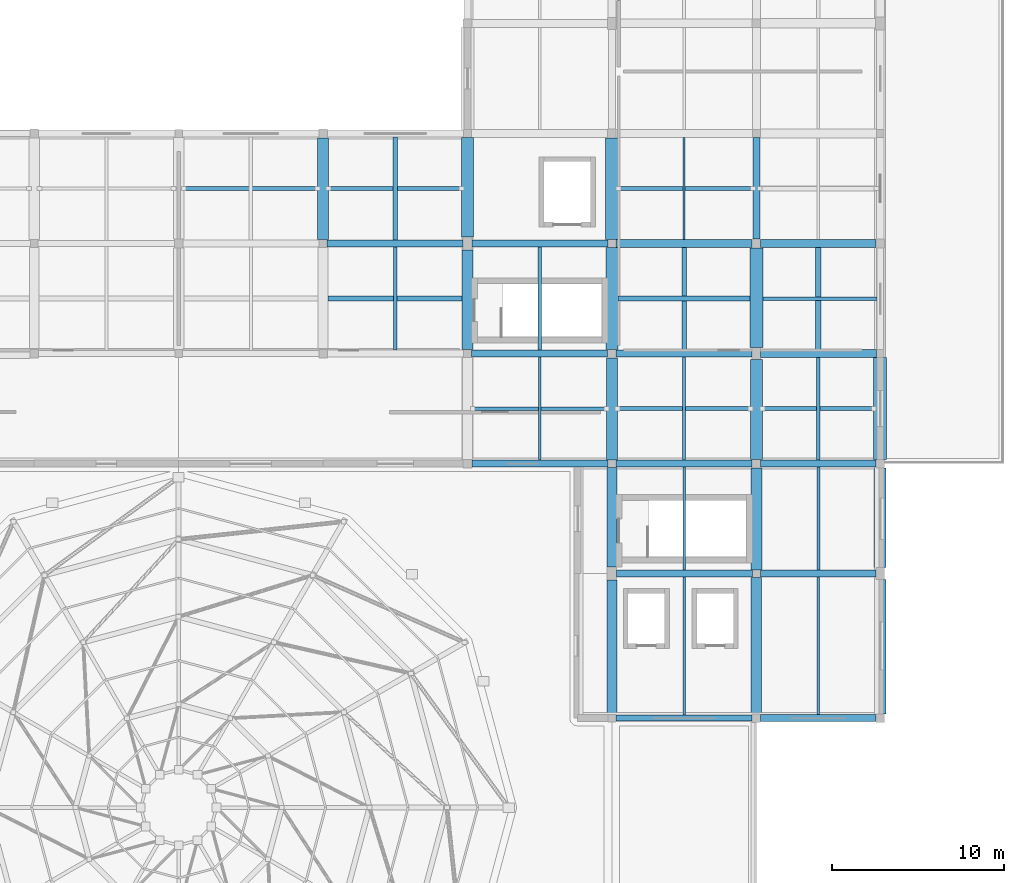
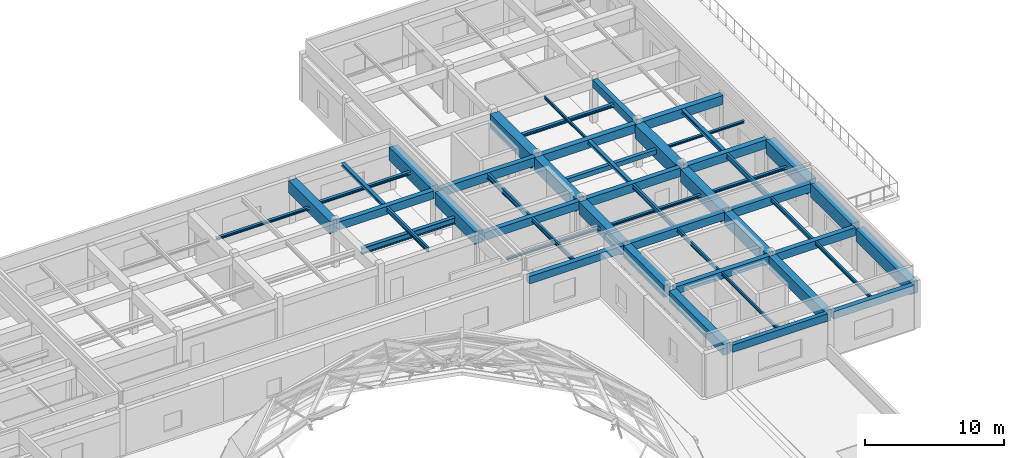
# One storey, part 6 of 18: 46 beams, 6 members.
"""IFC4 building model written with IfcOpenShell, lengths in metres."""

from ifc_helpers import new_model, si_unit, direction, frame, origin, origin_2d, place, context, subcontext, project, spatial, rectangle, i_section, extrude, material, material_profile, profile_set, type_object, element, save


model = new_model("IFC4")

# Units and contexts
model_context = context("Model", 3, precision=1e-05, world=origin(), true_north=direction((0.0, 1.0)))
body_context = subcontext(model_context, "Body", "Model", "MODEL_VIEW")
ifc_project = project(units=[si_unit("LENGTHUNIT", "METRE"), si_unit("AREAUNIT", "SQUARE_METRE"), si_unit("VOLUMEUNIT", "CUBIC_METRE"), si_unit("PLANEANGLEUNIT", "RADIAN"), si_unit("MASSUNIT", "GRAM", prefix="KILO")], contexts=[model_context])

# Site, building, storey
site_placement = place(None, origin())
site = spatial("IfcSite", under=ifc_project, at=site_placement, CompositionType="ELEMENT")
building_placement = place(site_placement, origin())
building = spatial("IfcBuilding", under=site, at=building_placement, Name="Korsvaeld Concert Hall", CompositionType="ELEMENT")
storey_placement = place(building_placement, frame((0.0, 0.0, 17.39990234375)))
storey = spatial("IfcBuildingStorey", under=building, at=storey_placement, Name="L04", CompositionType="ELEMENT", Elevation=17.39990234375)

# Beams
ifc_material_1 = material(Name="Concrete C35/45", Category="concrete")
ifc_material_profile_1 = material_profile(ifc_material_1, rectangle(XDim=0.300048828125, YDim=0.39990234375, at=origin_2d()), Name="RC 300x400")
ifc_profile_set_1 = profile_set([ifc_material_profile_1], Name="Concrete C35/45")
beam_type_1 = type_object("IfcBeamType", Name="BM-LN-300x400", PredefinedType="LINTEL", material=ifc_profile_set_1)
beam_1_placement = place(storey_placement, frame((109.550048828125, 92.800048828125, 3.330078125), z_axis=(1.0, 0.0, 0.0), x_axis=(0.0, 1.0, 0.0)))
element("IfcBeam", 1, at=beam_1_placement, inside=storey, type_object=beam_type_1, Name="Artists wing roof purlin tie 15", PredefinedType="LINTEL", context=body_context, shape_type="SweptSolid", body=[
    extrude(rectangle(XDim=0.300048828125, YDim=0.39990234375, at=origin_2d()), origin(), (0.0, 0.0, 1.0), 7.675048828125),
])
ifc_material_2 = material(Name="Steel S355J2", Category="steel")
ifc_material_profile_2 = material_profile(ifc_material_2, i_section(OverallWidth=0.199951171875, OverallDepth=0.18994140625, WebThickness=0.006591796875, FlangeThickness=0.010009765625, FilletRadius=0.01806640625, at=origin_2d()), Name="HEA 200")
ifc_profile_set_2 = profile_set([ifc_material_profile_2], Name="Steel S355J2")
beam_type_2 = type_object("IfcBeamType", Name="BM-LN-HEA200", PredefinedType="LINTEL", material=ifc_profile_set_2)
beam_2_placement = place(storey_placement, frame((117.97509765625, 92.800048828125, 3.35498046875), z_axis=(1.0, 0.0, 0.0), x_axis=(0.0, 1.0, 0.0)))
element("IfcBeam", 2, at=beam_2_placement, inside=storey, type_object=beam_type_2, Name="Artists wing roof purlin tie 16", PredefinedType="LINTEL", context=body_context, shape_type="SweptSolid", body=[
    extrude(i_section(OverallWidth=0.199951171875, OverallDepth=0.18994140625, WebThickness=0.006591796875, FlangeThickness=0.010009765625, FilletRadius=0.01806640625, at=origin_2d()), origin(), (0.0, 0.0, 1.0), 6.625),
])
ifc_material_profile_3 = material_profile(ifc_material_1, rectangle(XDim=0.35009765625, YDim=0.64990234375, at=origin_2d()), Name="RC 350x650")
ifc_profile_set_3 = profile_set([ifc_material_profile_3], Name="Concrete C35/45")
beam_type_3 = type_object("IfcBeamType", Name="BM-RC-350x650", PredefinedType="T_BEAM", material=ifc_profile_set_3)
beam_3_placement = place(storey_placement, frame((109.425048828125, 68.39990234375, 3.51513671875), z_axis=(1.0, 0.0, 0.0), x_axis=(0.0, 1.0, 0.0)))
element("IfcBeam", 3, at=beam_3_placement, inside=storey, type_object=beam_type_3, Name="Primary girder 15-16/K L04", PredefinedType="T_BEAM", context=body_context, shape_type="SweptSolid", body=[
    extrude(rectangle(XDim=0.35009765625, YDim=0.64990234375, at=origin_2d()), origin(), (0.0, 0.0, 1.0), 7.925048828125),
])
ifc_material_profile_4 = material_profile(ifc_material_1, rectangle(XDim=0.39990234375, YDim=0.64990234375, at=origin_2d()), Name="RC 400x650")
ifc_profile_set_4 = profile_set([ifc_material_profile_4], Name="Concrete C35/45")
beam_type_4 = type_object("IfcBeamType", Name="BM-RC-400x650", PredefinedType="T_BEAM", material=ifc_profile_set_4)
beam_4_placement = place(storey_placement, frame((117.85009765625, 68.39990234375, 3.51513671875), z_axis=(1.0, 0.0, 0.0), x_axis=(0.0, 1.0, 0.0)))
element("IfcBeam", 4, at=beam_4_placement, inside=storey, type_object=beam_type_4, Name="Primary girder 16-17/K L04", PredefinedType="T_BEAM", context=body_context, shape_type="SweptSolid", body=[
    extrude(rectangle(XDim=0.39990234375, YDim=0.64990234375, at=origin_2d()), origin(), (0.0, 0.0, 1.0), 6.699951171875),
])
beam_5_placement = place(storey_placement, frame((109.47509765625, 76.800048828125, 3.51513671875), z_axis=(1.0, 0.0, 0.0), x_axis=(0.0, 1.0, 0.0)))
element("IfcBeam", 5, at=beam_5_placement, inside=storey, type_object=beam_type_4, Name="Primary girder 15-16/L L04", PredefinedType="T_BEAM", context=body_context, shape_type="SweptSolid", body=[
    extrude(rectangle(XDim=0.39990234375, YDim=0.64990234375, at=origin_2d()), origin(), (0.0, 0.0, 1.0), 7.89990234375),
])
beam_6_placement = place(storey_placement, frame((101.050048828125, 83.199951171875, 3.51513671875), z_axis=(1.0, 0.0, 0.0), x_axis=(0.0, 1.0, 0.0)))
element("IfcBeam", 6, at=beam_6_placement, inside=storey, type_object=beam_type_4, Name="Primary girder 14-15/M L04", PredefinedType="T_BEAM", context=body_context, shape_type="SweptSolid", body=[
    extrude(rectangle(XDim=0.39990234375, YDim=0.64990234375, at=origin_2d()), origin(), (0.0, 0.0, 1.0), 7.925048828125),
])
ifc_material_profile_5 = material_profile(ifc_material_1, rectangle(XDim=0.39990234375, YDim=0.699951171875, at=origin_2d()), Name="RC 400x700")
ifc_profile_set_5 = profile_set([ifc_material_profile_5], Name="Concrete C35/45")
beam_type_5 = type_object("IfcBeamType", Name="BM-RC-400x700", PredefinedType="T_BEAM", material=ifc_profile_set_5)
beam_7_placement = place(storey_placement, frame((117.824951171875, 76.800048828125, 3.489990234375), z_axis=(1.0, 0.0, 0.0), x_axis=(0.0, 1.0, 0.0)))
element("IfcBeam", 7, at=beam_7_placement, inside=storey, type_object=beam_type_5, Name="Primary girder 16-17/L L04", PredefinedType="T_BEAM", context=body_context, shape_type="SweptSolid", body=[
    extrude(rectangle(XDim=0.39990234375, YDim=0.699951171875, at=origin_2d()), origin(), (0.0, 0.0, 1.0), 6.72509765625),
])
for number, where, z_axis, x_axis, name in (
    (8, (109.425048828125, 83.199951171875, 3.489990234375), (1.0, 0.0, 0.0), (0.0, 1.0, 0.0), "Primary girder 15-16/M L04"),
    (9, (101.02490234375, 89.60009765625, 3.489990234375), (1.0, 0.0, 0.0), (0.0, 1.0, 0.0), "Primary girder 14-15/N L04"),
):
    element("IfcBeam", number, at=place(storey_placement, frame(where, z_axis=z_axis, x_axis=x_axis)), inside=storey, type_object=beam_type_5, Name=name, PredefinedType="T_BEAM", context=body_context, shape_type="SweptSolid", body=[
        extrude(rectangle(XDim=0.39990234375, YDim=0.699951171875, at=origin_2d()), origin(), (0.0, 0.0, 1.0), 7.925048828125),
    ])
beam_8_placement = place(storey_placement, frame((92.625, 96.0, 3.489990234375), z_axis=(1.0, 0.0, 0.0), x_axis=(0.0, 1.0, 0.0)))
element("IfcBeam", 10, at=beam_8_placement, inside=storey, type_object=beam_type_5, Name="Primary girder 13-14/P L04", PredefinedType="T_BEAM", context=body_context, shape_type="SweptSolid", body=[
    extrude(rectangle(XDim=0.39990234375, YDim=0.699951171875, at=origin_2d()), origin(), (0.0, 0.0, 1.0), 7.89990234375),
])
beam_9_placement = place(storey_placement, frame((117.60009765625, 96.25, 3.489990234375), z_axis=(0.0, 1.0, 0.0), x_axis=(-1.0, 0.0, 0.0)))
element("IfcBeam", 11, at=beam_9_placement, inside=storey, type_object=beam_type_5, Name="Primary girder 16/P-Q L04", PredefinedType="T_BEAM", context=body_context, shape_type="SweptSolid", body=[
    extrude(rectangle(XDim=0.39990234375, YDim=0.699951171875, at=origin_2d()), origin(), (0.0, 0.0, 1.0), 5.925048828125),
])
ifc_material_profile_6 = material_profile(ifc_material_1, rectangle(XDim=0.39990234375, YDim=0.75, at=origin_2d()), Name="RC 400x750")
ifc_profile_set_6 = profile_set([ifc_material_profile_6], Name="Concrete C35/45")
beam_type_6 = type_object("IfcBeamType", Name="BM-RC-400x750", PredefinedType="T_BEAM", material=ifc_profile_set_6)
beam_10_placement = place(storey_placement, frame((117.85009765625, 83.199951171875, 3.465087890625), z_axis=(1.0, 0.0, 0.0), x_axis=(0.0, 1.0, 0.0)))
element("IfcBeam", 12, at=beam_10_placement, inside=storey, type_object=beam_type_6, Name="Primary girder 16-17/M L04", PredefinedType="T_BEAM", context=body_context, shape_type="SweptSolid", body=[
    extrude(rectangle(XDim=0.39990234375, YDim=0.75, at=origin_2d()), origin(), (0.0, 0.0, 1.0), 6.699951171875),
])
for number, where, z_axis, x_axis, name in (
    (13, (109.449951171875, 89.60009765625, 3.465087890625), (1.0, 0.0, 0.0), (0.0, 1.0, 0.0), "Primary girder 15-16/N L04"),
    (14, (101.074951171875, 96.0, 3.465087890625), (1.0, 0.0, 0.0), (0.0, 1.0, 0.0), "Primary girder 14-15/P L04"),
):
    element("IfcBeam", number, at=place(storey_placement, frame(where, z_axis=z_axis, x_axis=x_axis)), inside=storey, type_object=beam_type_6, Name=name, PredefinedType="T_BEAM", context=body_context, shape_type="SweptSolid", body=[
        extrude(rectangle(XDim=0.39990234375, YDim=0.75, at=origin_2d()), origin(), (0.0, 0.0, 1.0), 7.900146484375),
    ])
ifc_material_profile_7 = material_profile(ifc_material_1, rectangle(XDim=0.449951171875, YDim=0.75, at=origin_2d()), Name="RC 450x750")
ifc_profile_set_7 = profile_set([ifc_material_profile_7], Name="Concrete C35/45")
beam_type_7 = type_object("IfcBeamType", Name="BM-RC-450x750", PredefinedType="T_BEAM", material=ifc_profile_set_7)
beam_11_placement = place(storey_placement, frame((117.85009765625, 89.60009765625, 3.465087890625), z_axis=(1.0, 0.0, 0.0), x_axis=(0.0, 1.0, 0.0)))
element("IfcBeam", 15, at=beam_11_placement, inside=storey, type_object=beam_type_7, Name="Primary girder 16-17/N L04", PredefinedType="T_BEAM", context=body_context, shape_type="SweptSolid", body=[
    extrude(rectangle(XDim=0.449951171875, YDim=0.75, at=origin_2d()), origin(), (0.0, 0.0, 1.0), 6.724853515625),
])
beam_12_placement = place(storey_placement, frame((109.425048828125, 96.0, 3.465087890625), z_axis=(1.0, 0.0, 0.0), x_axis=(0.0, 1.0, 0.0)))
element("IfcBeam", 16, at=beam_12_placement, inside=storey, type_object=beam_type_7, Name="Primary girder 15-16/P L04", PredefinedType="T_BEAM", context=body_context, shape_type="SweptSolid", body=[
    extrude(rectangle(XDim=0.449951171875, YDim=0.75, at=origin_2d()), origin(), (0.0, 0.0, 1.0), 7.925048828125),
])
ifc_material_profile_8 = material_profile(ifc_material_1, rectangle(XDim=0.449951171875, YDim=0.800048828125, at=origin_2d()), Name="RC 450x800")
ifc_profile_set_8 = profile_set([ifc_material_profile_8], Name="Concrete C35/45")
beam_type_8 = type_object("IfcBeamType", Name="BM-RC-450x800", PredefinedType="T_BEAM", material=ifc_profile_set_8)
beam_13_placement = place(storey_placement, frame((117.85009765625, 96.0, 3.440185546875), z_axis=(1.0, 0.0, 0.0), x_axis=(0.0, 1.0, 0.0)))
element("IfcBeam", 17, at=beam_13_placement, inside=storey, type_object=beam_type_8, Name="Primary girder 16-17/P L04", PredefinedType="T_BEAM", context=body_context, shape_type="SweptSolid", body=[
    extrude(rectangle(XDim=0.449951171875, YDim=0.800048828125, at=origin_2d()), origin(), (0.0, 0.0, 1.0), 6.699951171875),
])
ifc_material_3 = material(Name="Concrete C40/50", Category="concrete")
ifc_material_profile_9 = material_profile(ifc_material_3, rectangle(XDim=0.60009765625, YDim=1.050048828125, at=origin_2d()), Name="RC 600x1050")
ifc_profile_set_9 = profile_set([ifc_material_profile_9], Name="Concrete C40/50")
beam_type_9 = type_object("IfcBeamType", Name="BM-RC-600x1050", PredefinedType="T_BEAM", material=ifc_profile_set_9)
beam_14_placement = place(storey_placement, frame((109.199951171875, 77.175048828125, 3.315185546875), z_axis=(0.0, 1.0, 0.0), x_axis=(-1.0, 0.0, 0.0)))
element("IfcBeam", 18, at=beam_14_placement, inside=storey, type_object=beam_type_9, Name="Primary girder 15/L-M L04", PredefinedType="T_BEAM", context=body_context, shape_type="SweptSolid", body=[
    extrude(rectangle(XDim=0.60009765625, YDim=1.050048828125, at=origin_2d()), origin(), (0.0, 0.0, 1.0), 5.800048828125),
])
beam_15_placement = place(storey_placement, frame((117.60009765625, 68.64990234375, 3.315185546875), z_axis=(0.0, 1.0, 0.0), x_axis=(-1.0, 0.0, 0.0)))
element("IfcBeam", 19, at=beam_15_placement, inside=storey, type_object=beam_type_9, Name="Primary girder 16/K-L L04", PredefinedType="T_BEAM", context=body_context, shape_type="SweptSolid", body=[
    extrude(rectangle(XDim=0.60009765625, YDim=1.050048828125, at=origin_2d()), origin(), (0.0, 0.0, 1.0), 7.925048828125),
])
ifc_material_profile_10 = material_profile(ifc_material_3, rectangle(XDim=0.60009765625, YDim=0.949951171875, at=origin_2d()), Name="RC 600x950")
ifc_profile_set_10 = profile_set([ifc_material_profile_10], Name="Concrete C40/50")
beam_type_10 = type_object("IfcBeamType", Name="BM-RC-600x950", PredefinedType="T_BEAM", material=ifc_profile_set_10)
beam_16_placement = place(storey_placement, frame((109.199951171875, 68.625, 3.364990234375), z_axis=(0.0, 1.0, 0.0), x_axis=(-1.0, 0.0, 0.0)))
element("IfcBeam", 20, at=beam_16_placement, inside=storey, type_object=beam_type_10, Name="Primary girder 15/K-L L04", PredefinedType="T_BEAM", context=body_context, shape_type="SweptSolid", body=[
    extrude(rectangle(XDim=0.60009765625, YDim=0.949951171875, at=origin_2d()), origin(), (0.0, 0.0, 1.0), 7.800048828125),
])
ifc_material_profile_11 = material_profile(ifc_material_3, rectangle(XDim=0.64990234375, YDim=1.10009765625, at=origin_2d()), Name="RC 650x1100")
ifc_profile_set_11 = profile_set([ifc_material_profile_11], Name="Concrete C40/50")
beam_type_11 = type_object("IfcBeamType", Name="BM-RC-650x1100", PredefinedType="T_BEAM", material=ifc_profile_set_11)
beam_17_placement = place(storey_placement, frame((92.39990234375, 96.22509765625, 3.2900390625), z_axis=(0.0, 1.0, 0.0), x_axis=(-1.0, 0.0, 0.0)))
element("IfcBeam", 21, at=beam_17_placement, inside=storey, type_object=beam_type_11, Name="Primary girder 13/P-Q L04", PredefinedType="T_BEAM", context=body_context, shape_type="SweptSolid", body=[
    extrude(rectangle(XDim=0.64990234375, YDim=1.10009765625, at=origin_2d()), origin(), (0.0, 0.0, 1.0), 5.9248046875),
])
beam_18_placement = place(storey_placement, frame((100.800048828125, 89.824951171875, 3.2900390625), z_axis=(0.0, 1.0, 0.0), x_axis=(-1.0, 0.0, 0.0)))
element("IfcBeam", 22, at=beam_18_placement, inside=storey, type_object=beam_type_11, Name="Primary girder 14/N-P L04", PredefinedType="T_BEAM", context=body_context, shape_type="SweptSolid", body=[
    extrude(rectangle(XDim=0.64990234375, YDim=1.10009765625, at=origin_2d()), origin(), (0.0, 0.0, 1.0), 5.800048828125),
])
for number, where, z_axis, x_axis, name in (
    (23, (109.199951171875, 83.425048828125, 3.2900390625), (0.0, 1.0, 0.0), (-1.0, 0.0, 0.0), "Primary girder 15/M-N L04"),
    (24, (117.60009765625, 77.02490234375, 3.2900390625), (0.0, 1.0, 0.0), (-1.0, 0.0, 0.0), "Primary girder 16/L-M L04"),
):
    element("IfcBeam", number, at=place(storey_placement, frame(where, z_axis=z_axis, x_axis=x_axis)), inside=storey, type_object=beam_type_11, Name=name, PredefinedType="T_BEAM", context=body_context, shape_type="SweptSolid", body=[
        extrude(rectangle(XDim=0.64990234375, YDim=1.10009765625, at=origin_2d()), origin(), (0.0, 0.0, 1.0), 5.925048828125),
    ])
beam_19_placement = place(storey_placement, frame((124.800048828125, 68.64990234375, 3.2900390625), z_axis=(0.0, 1.0, 0.0), x_axis=(-1.0, 0.0, 0.0)))
element("IfcBeam", 25, at=beam_19_placement, inside=storey, type_object=beam_type_11, Name="Primary girder 17/K-L L04", PredefinedType="T_BEAM", context=body_context, shape_type="SweptSolid", body=[
    extrude(rectangle(XDim=0.64990234375, YDim=1.10009765625, at=origin_2d()), origin(), (0.0, 0.0, 1.0), 7.800048828125),
])
ifc_material_profile_12 = material_profile(ifc_material_3, rectangle(XDim=0.699951171875, YDim=1.14990234375, at=origin_2d()), Name="RC 700x1150")
ifc_profile_set_12 = profile_set([ifc_material_profile_12], Name="Concrete C40/50")
beam_type_12 = type_object("IfcBeamType", Name="BM-RC-700x1150", PredefinedType="T_BEAM", material=ifc_profile_set_12)
beam_20_placement = place(storey_placement, frame((100.800048828125, 96.375, 3.26513671875), z_axis=(0.0, 1.0, 0.0), x_axis=(-1.0, 0.0, 0.0)))
element("IfcBeam", 26, at=beam_20_placement, inside=storey, type_object=beam_type_12, Name="Primary girder 14/P-Q L04", PredefinedType="T_BEAM", context=body_context, shape_type="SweptSolid", body=[
    extrude(rectangle(XDim=0.699951171875, YDim=1.14990234375, at=origin_2d()), origin(), (0.0, 0.0, 1.0), 5.800048828125),
])
beam_21_placement = place(storey_placement, frame((109.199951171875, 89.85009765625, 3.26513671875), z_axis=(0.0, 1.0, 0.0), x_axis=(-1.0, 0.0, 0.0)))
element("IfcBeam", 27, at=beam_21_placement, inside=storey, type_object=beam_type_12, Name="Primary girder 15/N-P L04", PredefinedType="T_BEAM", context=body_context, shape_type="SweptSolid", body=[
    extrude(rectangle(XDim=0.699951171875, YDim=1.14990234375, at=origin_2d()), origin(), (0.0, 0.0, 1.0), 5.9248046875),
])
for number, where, z_axis, x_axis, name in (
    (28, (117.60009765625, 83.449951171875, 3.26513671875), (0.0, 1.0, 0.0), (-1.0, 0.0, 0.0), "Primary girder 16/M-N L04"),
    (29, (124.800048828125, 77.14990234375, 3.26513671875), (0.0, 1.0, 0.0), (-1.0, 0.0, 0.0), "Primary girder 17/L-M L04"),
):
    element("IfcBeam", number, at=place(storey_placement, frame(where, z_axis=z_axis, x_axis=x_axis)), inside=storey, type_object=beam_type_12, Name=name, PredefinedType="T_BEAM", context=body_context, shape_type="SweptSolid", body=[
        extrude(rectangle(XDim=0.699951171875, YDim=1.14990234375, at=origin_2d()), origin(), (0.0, 0.0, 1.0), 5.800048828125),
    ])
ifc_material_profile_13 = material_profile(ifc_material_3, rectangle(XDim=0.75, YDim=1.199951171875, at=origin_2d()), Name="RC 750x1200")
ifc_profile_set_13 = profile_set([ifc_material_profile_13], Name="Concrete C40/50")
beam_type_13 = type_object("IfcBeamType", Name="BM-RC-750x1200", PredefinedType="T_BEAM", material=ifc_profile_set_13)
beam_22_placement = place(storey_placement, frame((109.199951171875, 96.22509765625, 3.239990234375), z_axis=(0.0, 1.0, 0.0), x_axis=(-1.0, 0.0, 0.0)))
element("IfcBeam", 30, at=beam_22_placement, inside=storey, type_object=beam_type_13, Name="Primary girder 15/P-Q L04", PredefinedType="T_BEAM", context=body_context, shape_type="SweptSolid", body=[
    extrude(rectangle(XDim=0.75, YDim=1.199951171875, at=origin_2d()), origin(), (0.0, 0.0, 1.0), 5.9248046875),
])
beam_23_placement = place(storey_placement, frame((117.60009765625, 89.949951171875, 3.239990234375), z_axis=(0.0, 1.0, 0.0), x_axis=(-1.0, 0.0, 0.0)))
element("IfcBeam", 31, at=beam_23_placement, inside=storey, type_object=beam_type_13, Name="Primary girder 16/N-P L04", PredefinedType="T_BEAM", context=body_context, shape_type="SweptSolid", body=[
    extrude(rectangle(XDim=0.75, YDim=1.199951171875, at=origin_2d()), origin(), (0.0, 0.0, 1.0), 5.800048828125),
])
beam_24_placement = place(storey_placement, frame((124.800048828125, 83.449951171875, 3.239990234375), z_axis=(0.0, 1.0, 0.0), x_axis=(-1.0, 0.0, 0.0)))
element("IfcBeam", 32, at=beam_24_placement, inside=storey, type_object=beam_type_13, Name="Primary girder 17/M-N L04", PredefinedType="T_BEAM", context=body_context, shape_type="SweptSolid", body=[
    extrude(rectangle(XDim=0.75, YDim=1.199951171875, at=origin_2d()), origin(), (0.0, 0.0, 1.0), 5.925048828125),
])
ifc_material_profile_14 = material_profile(ifc_material_2, i_section(OverallWidth=0.280029296875, OverallDepth=0.27001953125, WebThickness=0.008056640625, FlangeThickness=0.012939453125, FilletRadius=0.02392578125, at=origin_2d()), Name="HEA 280")
ifc_profile_set_14 = profile_set([ifc_material_profile_14], Name="Steel S355J2")
beam_type_14 = type_object("IfcBeamType", Name="BM-STL-HEA280", PredefinedType="BEAM", material=ifc_profile_set_14)
beam_25_placement = place(storey_placement, frame((96.60009765625, 96.199951171875, 3.705078125), z_axis=(0.0, 1.0, 0.0), x_axis=(-1.0, 0.0, 0.0)))
element("IfcBeam", 33, at=beam_25_placement, inside=storey, type_object=beam_type_14, Name="Secondary steel floor beam 13-14/P L04", PredefinedType="BEAM", context=body_context, shape_type="SweptSolid", body=[
    extrude(i_section(OverallWidth=0.280029296875, OverallDepth=0.27001953125, WebThickness=0.008056640625, FlangeThickness=0.012939453125, FilletRadius=0.02392578125, at=origin_2d()), origin(), (0.0, 0.0, 1.0), 6.0),
])
beam_26_placement = place(storey_placement, frame((113.39990234375, 89.800048828125, 3.705078125), z_axis=(0.0, 1.0, 0.0), x_axis=(-1.0, 0.0, 0.0)))
element("IfcBeam", 34, at=beam_26_placement, inside=storey, type_object=beam_type_14, Name="Secondary steel floor beam 15-16/N L04", PredefinedType="BEAM", context=body_context, shape_type="SweptSolid", body=[
    extrude(i_section(OverallWidth=0.280029296875, OverallDepth=0.27001953125, WebThickness=0.008056640625, FlangeThickness=0.012939453125, FilletRadius=0.02392578125, at=origin_2d()), origin(), (0.0, 0.0, 1.0), 5.974853515625),
])
ifc_material_profile_15 = material_profile(ifc_material_2, i_section(OverallWidth=0.300048828125, OverallDepth=0.35009765625, WebThickness=0.010009765625, FlangeThickness=0.017578125, FilletRadius=0.027099609375, at=origin_2d()), Name="HEA 360")
ifc_profile_set_15 = profile_set([ifc_material_profile_15], Name="Steel S355J2")
beam_type_15 = type_object("IfcBeamType", Name="BM-STL-HEA360", PredefinedType="BEAM", material=ifc_profile_set_15)
beam_27_placement = place(storey_placement, frame((121.199951171875, 89.824951171875, 3.6650390625), z_axis=(0.0, 1.0, 0.0), x_axis=(-1.0, 0.0, 0.0)))
element("IfcBeam", 35, at=beam_27_placement, inside=storey, type_object=beam_type_15, Name="Secondary steel floor beam 16-17/N L04", PredefinedType="BEAM", context=body_context, shape_type="SweptSolid", body=[
    extrude(i_section(OverallWidth=0.300048828125, OverallDepth=0.35009765625, WebThickness=0.010009765625, FlangeThickness=0.017578125, FilletRadius=0.027099609375, at=origin_2d()), origin(), (0.0, 0.0, 1.0), 5.949951171875),
])
ifc_material_profile_16 = material_profile(ifc_material_2, i_section(OverallWidth=0.300048828125, OverallDepth=0.550048828125, WebThickness=0.014892578125, FlangeThickness=0.029052734375, FilletRadius=0.027099609375, at=origin_2d()), Name="HEB 550")
ifc_profile_set_16 = profile_set([ifc_material_profile_16], Name="Steel S355J2")
beam_type_16 = type_object("IfcBeamType", Name="BM-STL-HEB550", PredefinedType="USERDEFINED", material=ifc_profile_set_16)
beam_28_placement = place(storey_placement, frame((92.699951171875, 92.800048828125, 3.125), z_axis=(1.0, 0.0, 0.0), x_axis=(0.0, 1.0, 0.0)))
element("IfcBeam", 36, at=beam_28_placement, inside=storey, type_object=beam_type_16, Name="Artists wing roof purlin tie 13", ObjectType="GIRDER", PredefinedType="USERDEFINED", context=body_context, shape_type="SweptSolid", body=[
    extrude(i_section(OverallWidth=0.300048828125, OverallDepth=0.550048828125, WebThickness=0.014892578125, FlangeThickness=0.029052734375, FilletRadius=0.027099609375, at=origin_2d()), origin(), (0.0, 0.0, 1.0), 7.775146484375),
])
ifc_material_profile_17 = material_profile(ifc_material_2, i_section(OverallWidth=0.1201171875, OverallDepth=0.239990234375, WebThickness=0.006103515625, FlangeThickness=0.009765625, FilletRadius=0.014892578125, at=origin_2d()), Name="IPE 240")
ifc_profile_set_17 = profile_set([ifc_material_profile_17], Name="Steel S355J2")
beam_type_17 = type_object("IfcBeamType", Name="BM-STL-IPE240", PredefinedType="JOIST", material=ifc_profile_set_17)
beam_29_placement = place(storey_placement, frame((113.39990234375, 96.22509765625, 3.72021484375), z_axis=(0.0, 1.0, 0.0), x_axis=(-1.0, 0.0, 0.0)))
element("IfcBeam", 37, at=beam_29_placement, inside=storey, type_object=beam_type_17, Name="Secondary steel floor beam 15-16/P L04", PredefinedType="JOIST", context=body_context, shape_type="SweptSolid", body=[
    extrude(i_section(OverallWidth=0.1201171875, OverallDepth=0.239990234375, WebThickness=0.006103515625, FlangeThickness=0.009765625, FilletRadius=0.014892578125, at=origin_2d()), origin(), (0.0, 0.0, 1.0), 5.949951171875),
])
ifc_material_profile_18 = material_profile(ifc_material_2, i_section(OverallWidth=0.135009765625, OverallDepth=0.27001953125, WebThickness=0.006591796875, FlangeThickness=0.01025390625, FilletRadius=0.014892578125, at=origin_2d()), Name="IPE 270")
ifc_profile_set_18 = profile_set([ifc_material_profile_18], Name="Steel S355J2")
beam_type_18 = type_object("IfcBeamType", Name="BM-STL-IPE270", PredefinedType="JOIST", material=ifc_profile_set_18)
beam_30_placement = place(storey_placement, frame((113.39990234375, 68.574951171875, 3.705078125), z_axis=(0.0, 1.0, 0.0), x_axis=(-1.0, 0.0, 0.0)))
element("IfcBeam", 38, at=beam_30_placement, inside=storey, type_object=beam_type_18, Name="Secondary steel floor beam 15-16/K L04", PredefinedType="JOIST", context=body_context, shape_type="SweptSolid", body=[
    extrude(i_section(OverallWidth=0.135009765625, OverallDepth=0.27001953125, WebThickness=0.006591796875, FlangeThickness=0.01025390625, FilletRadius=0.014892578125, at=origin_2d()), origin(), (0.0, 0.0, 1.0), 8.025146484375),
])
ifc_material_profile_19 = material_profile(ifc_material_2, i_section(OverallWidth=0.14990234375, OverallDepth=0.300048828125, WebThickness=0.007080078125, FlangeThickness=0.0107421875, FilletRadius=0.014892578125, at=origin_2d()), Name="IPE 300")
ifc_profile_set_19 = profile_set([ifc_material_profile_19], Name="Steel S355J2")
beam_type_19 = type_object("IfcBeamType", Name="BM-STL-IPE300", PredefinedType="JOIST", material=ifc_profile_set_19)
beam_31_placement = place(storey_placement, frame((121.199951171875, 68.60009765625, 3.690185546875), z_axis=(0.0, 1.0, 0.0), x_axis=(-1.0, 0.0, 0.0)))
element("IfcBeam", 39, at=beam_31_placement, inside=storey, type_object=beam_type_19, Name="Secondary steel floor beam 16-17/K L04", PredefinedType="JOIST", context=body_context, shape_type="SweptSolid", body=[
    extrude(i_section(OverallWidth=0.14990234375, OverallDepth=0.300048828125, WebThickness=0.007080078125, FlangeThickness=0.0107421875, FilletRadius=0.014892578125, at=origin_2d()), origin(), (0.0, 0.0, 1.0), 8.0),
])
ifc_material_profile_20 = material_profile(ifc_material_2, i_section(OverallWidth=0.159912109375, OverallDepth=0.330078125, WebThickness=0.007568359375, FlangeThickness=0.011474609375, FilletRadius=0.01806640625, at=origin_2d()), Name="IPE 330")
ifc_profile_set_20 = profile_set([ifc_material_profile_20], Name="Steel S355J2")
beam_type_20 = type_object("IfcBeamType", Name="BM-STL-IPE330", PredefinedType="BEAM", material=ifc_profile_set_20)
beam_32_placement = place(storey_placement, frame((113.39990234375, 77.0, 3.675048828125), z_axis=(0.0, 1.0, 0.0), x_axis=(-1.0, 0.0, 0.0)))
element("IfcBeam", 40, at=beam_32_placement, inside=storey, type_object=beam_type_20, Name="Secondary steel floor beam 15-16/L L04", PredefinedType="BEAM", context=body_context, shape_type="SweptSolid", body=[
    extrude(i_section(OverallWidth=0.159912109375, OverallDepth=0.330078125, WebThickness=0.007568359375, FlangeThickness=0.011474609375, FilletRadius=0.01806640625, at=origin_2d()), origin(), (0.0, 0.0, 1.0), 6.0),
])
ifc_material_profile_21 = material_profile(ifc_material_2, i_section(OverallWidth=0.169921875, OverallDepth=0.360107421875, WebThickness=0.008056640625, FlangeThickness=0.0126953125, FilletRadius=0.01806640625, at=origin_2d()), Name="IPE 360")
ifc_profile_set_21 = profile_set([ifc_material_profile_21], Name="Steel S355J2")
beam_type_21 = type_object("IfcBeamType", Name="BM-STL-IPE360", PredefinedType="BEAM", material=ifc_profile_set_21)
for number, where, z_axis, x_axis, name in (
    (41, (105.0, 83.39990234375, 3.66015625), (0.0, 1.0, 0.0), (-1.0, 0.0, 0.0), "Secondary steel floor beam 14-15/M L04"),
    (42, (121.199951171875, 77.0, 3.66015625), (0.0, 1.0, 0.0), (-1.0, 0.0, 0.0), "Secondary steel floor beam 16-17/L L04"),
):
    element("IfcBeam", number, at=place(storey_placement, frame(where, z_axis=z_axis, x_axis=x_axis)), inside=storey, type_object=beam_type_21, Name=name, PredefinedType="BEAM", context=body_context, shape_type="SweptSolid", body=[
        extrude(i_section(OverallWidth=0.169921875, OverallDepth=0.360107421875, WebThickness=0.008056640625, FlangeThickness=0.0126953125, FilletRadius=0.01806640625, at=origin_2d()), origin(), (0.0, 0.0, 1.0), 6.0),
    ])
ifc_material_profile_22 = material_profile(ifc_material_2, i_section(OverallWidth=0.179931640625, OverallDepth=0.39990234375, WebThickness=0.008544921875, FlangeThickness=0.013427734375, FilletRadius=0.02099609375, at=origin_2d()), Name="IPE 400")
ifc_profile_set_22 = profile_set([ifc_material_profile_22], Name="Steel S355J2")
beam_type_22 = type_object("IfcBeamType", Name="BM-STL-IPE400", PredefinedType="BEAM", material=ifc_profile_set_22)
for number, where, z_axis, x_axis, name in (
    (43, (96.60009765625, 89.800048828125, 3.64013671875), (0.0, 1.0, 0.0), (-1.0, 0.0, 0.0), "Secondary steel floor beam 13-14/N L04"),
    (44, (113.39990234375, 83.39990234375, 3.64013671875), (0.0, 1.0, 0.0), (-1.0, 0.0, 0.0), "Secondary steel floor beam 15-16/M L04"),
):
    element("IfcBeam", number, at=place(storey_placement, frame(where, z_axis=z_axis, x_axis=x_axis)), inside=storey, type_object=beam_type_22, Name=name, PredefinedType="BEAM", context=body_context, shape_type="SweptSolid", body=[
        extrude(i_section(OverallWidth=0.179931640625, OverallDepth=0.39990234375, WebThickness=0.008544921875, FlangeThickness=0.013427734375, FilletRadius=0.02099609375, at=origin_2d()), origin(), (0.0, 0.0, 1.0), 6.0),
    ])
ifc_material_profile_23 = material_profile(ifc_material_2, i_section(OverallWidth=0.18994140625, OverallDepth=0.449951171875, WebThickness=0.009521484375, FlangeThickness=0.0146484375, FilletRadius=0.02099609375, at=origin_2d()), Name="IPE 450")
ifc_profile_set_23 = profile_set([ifc_material_profile_23], Name="Steel S355J2")
beam_type_23 = type_object("IfcBeamType", Name="BM-STL-IPE450", PredefinedType="BEAM", material=ifc_profile_set_23)
beam_33_placement = place(storey_placement, frame((105.0, 89.800048828125, 3.614990234375), z_axis=(0.0, 1.0, 0.0), x_axis=(-1.0, 0.0, 0.0)))
element("IfcBeam", 45, at=beam_33_placement, inside=storey, type_object=beam_type_23, Name="Secondary steel floor beam 14-15/N L04", PredefinedType="BEAM", context=body_context, shape_type="SweptSolid", body=[
    extrude(i_section(OverallWidth=0.18994140625, OverallDepth=0.449951171875, WebThickness=0.009521484375, FlangeThickness=0.0146484375, FilletRadius=0.02099609375, at=origin_2d()), origin(), (0.0, 0.0, 1.0), 6.0),
])
beam_34_placement = place(storey_placement, frame((121.199951171875, 83.39990234375, 3.614990234375), z_axis=(0.0, 1.0, 0.0), x_axis=(-1.0, 0.0, 0.0)))
element("IfcBeam", 46, at=beam_34_placement, inside=storey, type_object=beam_type_23, Name="Secondary steel floor beam 16-17/M L04", PredefinedType="BEAM", context=body_context, shape_type="SweptSolid", body=[
    extrude(i_section(OverallWidth=0.18994140625, OverallDepth=0.449951171875, WebThickness=0.009521484375, FlangeThickness=0.0146484375, FilletRadius=0.02099609375, at=origin_2d()), origin(), (0.0, 0.0, 1.0), 5.97509765625),
])

# Members
ifc_material_profile_24 = material_profile(ifc_material_2, i_section(OverallWidth=0.199951171875, OverallDepth=0.199951171875, WebThickness=0.009033203125, FlangeThickness=0.014892578125, FilletRadius=0.01806640625, at=origin_2d()), Name="HEB 200")
ifc_profile_set_24 = profile_set([ifc_material_profile_24], Name="Steel S355J2")
member_type_1 = type_object("IfcMemberType", Name="MEM-STR-HEB200", PredefinedType="STRUT", material=ifc_profile_set_24)
member_1_placement = place(storey_placement, frame((101.10009765625, 86.39990234375, 3.340087890625), z_axis=(1.0, 0.0, 0.0), x_axis=(0.0, 1.0, 0.0)))
element("IfcMember", 47, at=member_1_placement, inside=storey, type_object=member_type_1, Name="Artists wing roof purlin tie 04", PredefinedType="STRUT", context=body_context, shape_type="SweptSolid", body=[
    extrude(i_section(OverallWidth=0.199951171875, OverallDepth=0.199951171875, WebThickness=0.009033203125, FlangeThickness=0.014892578125, FilletRadius=0.01806640625, at=origin_2d()), origin(), (0.0, 0.0, 1.0), 7.77490234375),
])
ifc_material_profile_25 = material_profile(ifc_material_2, i_section(OverallWidth=0.219970703125, OverallDepth=0.219970703125, WebThickness=0.009521484375, FlangeThickness=0.01611328125, FilletRadius=0.01806640625, at=origin_2d()), Name="HEB 220")
ifc_profile_set_25 = profile_set([ifc_material_profile_25], Name="Steel S355J2")
member_type_2 = type_object("IfcMemberType", Name="MEM-STR-HEB220", PredefinedType="STRUT", material=ifc_profile_set_25)
member_2_placement = place(storey_placement, frame((109.52490234375, 86.39990234375, 3.2900390625), z_axis=(1.0, 0.0, 0.0), x_axis=(0.0, 1.0, 0.0)))
element("IfcMember", 48, at=member_2_placement, inside=storey, type_object=member_type_2, Name="Artists wing roof purlin tie 05", PredefinedType="STRUT", context=body_context, shape_type="SweptSolid", body=[
    extrude(i_section(OverallWidth=0.219970703125, OverallDepth=0.219970703125, WebThickness=0.009521484375, FlangeThickness=0.01611328125, FilletRadius=0.01806640625, at=origin_2d()), origin(), (0.0, 0.0, 1.0), 7.72509765625),
])
member_3_placement = place(storey_placement, frame((84.300048828125, 99.199951171875, 3.239990234375), z_axis=(1.0, 0.0, 0.0), x_axis=(0.0, 1.0, 0.0)))
element("IfcMember", 49, at=member_3_placement, inside=storey, type_object=member_type_2, Name="Artists wing roof purlin tie 21", PredefinedType="STRUT", context=body_context, shape_type="SweptSolid", body=[
    extrude(i_section(OverallWidth=0.219970703125, OverallDepth=0.219970703125, WebThickness=0.009521484375, FlangeThickness=0.01611328125, FilletRadius=0.01806640625, at=origin_2d()), origin(), (0.0, 0.0, 1.0), 7.77490234375),
])
ifc_material_profile_26 = material_profile(ifc_material_2, i_section(OverallWidth=0.239990234375, OverallDepth=0.239990234375, WebThickness=0.010009765625, FlangeThickness=0.01708984375, FilletRadius=0.02099609375, at=origin_2d()), Name="HEB 240")
ifc_profile_set_26 = profile_set([ifc_material_profile_26], Name="Steel S355J2")
member_type_3 = type_object("IfcMemberType", Name="MEM-STR-HEB240", PredefinedType="STRUT", material=ifc_profile_set_26)
member_4_placement = place(storey_placement, frame((117.949951171875, 86.39990234375, 3.22998046875), z_axis=(1.0, 0.0, 0.0), x_axis=(0.0, 1.0, 0.0)))
element("IfcMember", 50, at=member_4_placement, inside=storey, type_object=member_type_3, Name="Artists wing roof purlin tie 06", PredefinedType="STRUT", context=body_context, shape_type="SweptSolid", body=[
    extrude(i_section(OverallWidth=0.239990234375, OverallDepth=0.239990234375, WebThickness=0.010009765625, FlangeThickness=0.01708984375, FilletRadius=0.02099609375, at=origin_2d()), origin(), (0.0, 0.0, 1.0), 6.47509765625),
])
member_5_placement = place(storey_placement, frame((92.72509765625, 99.199951171875, 3.41015625), z_axis=(1.0, 0.0, 0.0), x_axis=(0.0, 1.0, 0.0)))
element("IfcMember", 51, at=member_5_placement, inside=storey, type_object=member_type_3, Name="Artists wing roof purlin tie 22", PredefinedType="STRUT", context=body_context, shape_type="SweptSolid", body=[
    extrude(i_section(OverallWidth=0.239990234375, OverallDepth=0.239990234375, WebThickness=0.010009765625, FlangeThickness=0.01708984375, FilletRadius=0.02099609375, at=origin_2d()), origin(), (0.0, 0.0, 1.0), 7.724853515625),
])
ifc_material_profile_27 = material_profile(ifc_material_2, i_section(OverallWidth=0.260009765625, OverallDepth=0.260009765625, WebThickness=0.010009765625, FlangeThickness=0.017578125, FilletRadius=0.02392578125, at=origin_2d()), Name="HEB 260")
ifc_profile_set_27 = profile_set([ifc_material_profile_27], Name="Steel S355J2")
member_type_4 = type_object("IfcMemberType", Name="MEM-STR-HEB260", PredefinedType="STRUT", material=ifc_profile_set_27)
member_6_placement = place(storey_placement, frame((109.574951171875, 99.199951171875, 3.43017578125), z_axis=(1.0, 0.0, 0.0), x_axis=(0.0, 1.0, 0.0)))
element("IfcMember", 52, at=member_6_placement, inside=storey, type_object=member_type_4, Name="Artists wing roof purlin tie 23", PredefinedType="STRUT", context=body_context, shape_type="SweptSolid", body=[
    extrude(i_section(OverallWidth=0.260009765625, OverallDepth=0.260009765625, WebThickness=0.010009765625, FlangeThickness=0.017578125, FilletRadius=0.02392578125, at=origin_2d()), origin(), (0.0, 0.0, 1.0), 7.824951171875),
])

save(model, "model.ifc")
